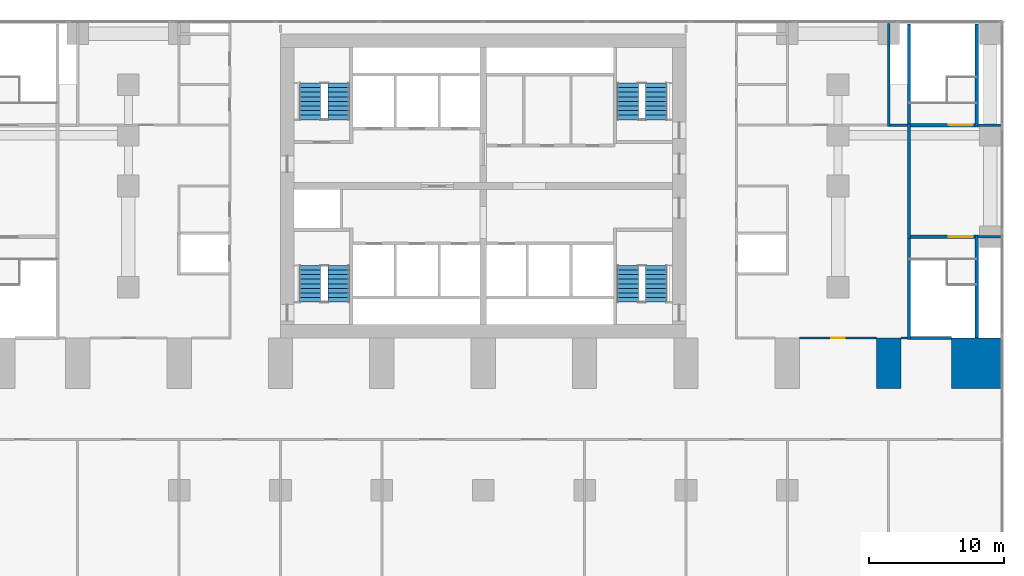
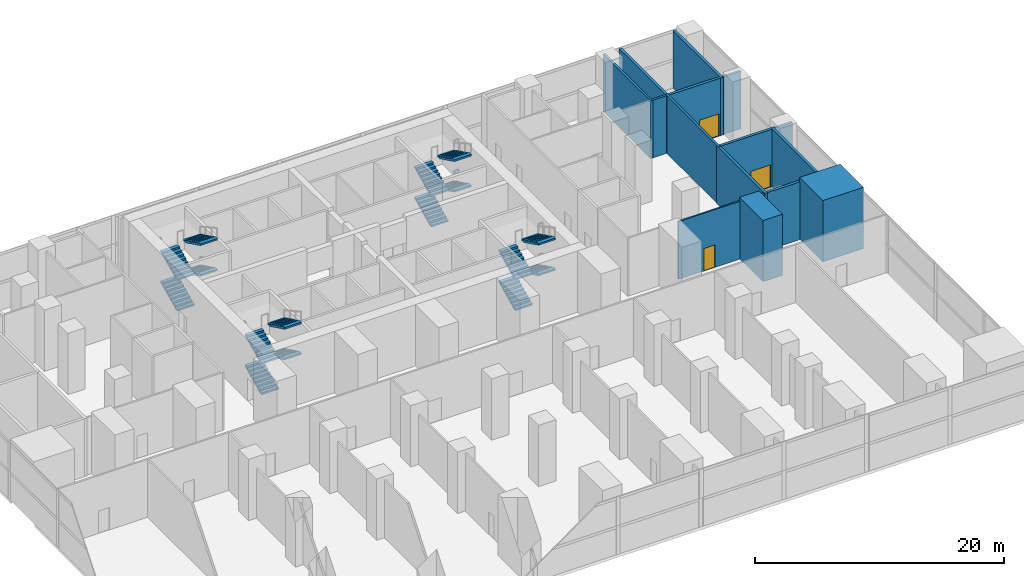
# One storey, part 12 of 14: 16 stair flights, 16 walls, 3 doors, 3 openings, 4 elements without a shape of their own.
"""IFC4 building model written with IfcOpenShell, lengths in metres."""

import ifcopenshell
import ifcopenshell.guid

model = None  # the IFC model being written
_history = None  # IfcOwnerHistory: only IFC2X3 demands one
_inside = {}  # id of a spatial element -> (the spatial element, [elements in it])
_under = {}  # id of a project, library or spatial element -> (it, [spatial elements below it])
_declared = {}  # id of a project -> (the project, [libraries it declares])
_typed = {}  # id of a type object -> (the type object, [elements of that type])
_made_of = {}  # id of a material, layer set ... -> (it, [elements and type objects made of it])


def new_model(schema):
    """Start an empty IFC model of exactly this schema.

    Asked for "IFC4X3", IfcOpenShell would pick the latest addendum, in which some entities
    have other attributes; the version numbers below select the first issue.
    IFC2X3 requires an IfcOwnerHistory on every rooted entity: one is made here for all.
    """
    global model, _history
    if schema == "IFC4X3":
        model = ifcopenshell.file(schema_version=(4, 3, 0, 0))
    else:
        model = ifcopenshell.file(schema=schema)
    _inside.clear()
    _under.clear()
    _declared.clear()
    _typed.clear()
    _made_of.clear()
    _history = None
    if model.schema == "IFC2X3":
        org = make("IfcOrganization", Name="unknown")
        user = make(
            "IfcPersonAndOrganization",
            ThePerson=make("IfcPerson", FamilyName="unknown"),
            TheOrganization=org,
        )
        app = make(
            "IfcApplication",
            ApplicationDeveloper=org,
            Version="unknown",
            ApplicationFullName="unknown",
            ApplicationIdentifier="unknown",
        )
        _history = make(
            "IfcOwnerHistory",
            OwningUser=user,
            OwningApplication=app,
            ChangeAction="ADDED",
            CreationDate=0,
        )
    return model


def make(cls, **values):
    """One entity of the class cls with the attributes given. An attribute that is None is left unset."""
    return model.create_entity(
        cls, **{name: value for name, value in values.items() if value is not None}
    )


def rooted(cls, **values):
    """An entity with a GlobalId (a new one), such as an element, a storey or a relation."""
    return make(cls, GlobalId=ifcopenshell.guid.new(), OwnerHistory=_history, **values)


def si_unit(unit_type, name, prefix=None):
    """IfcSIUnit, for example si_unit("LENGTHUNIT", "METRE", prefix="MILLI")."""
    return make("IfcSIUnit", UnitType=unit_type, Prefix=prefix, Name=name)


def assignment(units):
    """IfcUnitAssignment: the units of a project."""
    return None if units is None else make("IfcUnitAssignment", Units=units)


def point(xyz):
    """IfcCartesianPoint."""
    return None if xyz is None else make("IfcCartesianPoint", Coordinates=xyz)


def direction(xyz):
    """IfcDirection."""
    return None if xyz is None else make("IfcDirection", DirectionRatios=xyz)


def frame(location, z_axis=None, x_axis=None):
    """IfcAxis2Placement3D, a coordinate frame: its origin and axes. An axis left out is left unset."""
    return make(
        "IfcAxis2Placement3D",
        Location=point(location),
        Axis=direction(z_axis),
        RefDirection=direction(x_axis),
    )


def frame_2d(location, x_axis=None):
    """IfcAxis2Placement2D, a coordinate frame in the plane: its origin and x axis."""
    return make(
        "IfcAxis2Placement2D", Location=point(location), RefDirection=direction(x_axis)
    )


def origin():
    """The frame at (0, 0, 0) with its axes left unset."""
    return frame((0.0, 0.0, 0.0))


def place(relative_to, where):
    """IfcLocalPlacement: puts the frame where relative to a parent placement (None: the world)."""
    return make(
        "IfcLocalPlacement", PlacementRelTo=relative_to, RelativePlacement=where
    )


def context(
    kind, dimensions, precision=None, world=None, true_north=None, identifier=None
):
    """IfcGeometricRepresentationContext, for example the 3D "Model" context."""
    return make(
        "IfcGeometricRepresentationContext",
        ContextIdentifier=identifier,
        ContextType=kind,
        CoordinateSpaceDimension=dimensions,
        Precision=precision,
        WorldCoordinateSystem=world,
        TrueNorth=true_north,
    )


def subcontext(parent, identifier, kind, view, scale=None):
    """IfcGeometricRepresentationSubContext, for example "Body" below "Model"."""
    return make(
        "IfcGeometricRepresentationSubContext",
        ContextIdentifier=identifier,
        ContextType=kind,
        ParentContext=parent,
        TargetScale=scale,
        TargetView=view,
    )


def project(units=None, contexts=None):
    """IfcProject with its units and contexts."""
    return rooted(
        "IfcProject",
        Name="project",
        RepresentationContexts=contexts,
        UnitsInContext=assignment(units),
    )


def spatial(cls, under=None, at=None, **own):
    """A site, building, storey or space (cls), placed at a placement, below another one or the project."""
    s = rooted(cls, ObjectPlacement=at, **own)
    if under is not None:
        _under.setdefault(under.id(), (under, []))[1].append(s)
    return s


def polyline(points):
    """IfcPolyline through the points."""
    return make("IfcPolyline", Points=[point(p) for p in points])


def profile(cls, at=None, kind="AREA", **sizes):
    """A parametric profile (cls). Its sizes go by their IFC names, for example OverallWidth=200.0."""
    return make(cls, ProfileType=kind, Position=at, **sizes)


def rectangle(**sizes):
    """IfcRectangleProfileDef."""
    return profile("IfcRectangleProfileDef", **sizes)


def outline(outer, holes=None, kind="AREA"):
    """IfcArbitraryClosedProfileDef: a profile drawn as a closed curve; with holes, ...WithVoids."""
    if holes is None:
        return make("IfcArbitraryClosedProfileDef", ProfileType=kind, OuterCurve=outer)
    return make(
        "IfcArbitraryProfileDefWithVoids",
        ProfileType=kind,
        OuterCurve=outer,
        InnerCurves=holes,
    )


def extrude(swept, where, along, depth):
    """IfcExtrudedAreaSolid: the profile swept, set in the frame where, extruded along a direction by depth."""
    return make(
        "IfcExtrudedAreaSolid",
        SweptArea=swept,
        Position=where,
        ExtrudedDirection=direction(along),
        Depth=depth,
    )


def shape(context_of_items, identifier, shape_type, items):
    """IfcShapeRepresentation: the items that make up one representation, for example the "Body"."""
    return make(
        "IfcShapeRepresentation",
        ContextOfItems=context_of_items,
        RepresentationIdentifier=identifier,
        RepresentationType=shape_type,
        Items=items,
    )


def material(Name=None, Category=None):
    """IfcMaterial."""
    return make("IfcMaterial", Name=Name, Category=Category)


def layer(
    of_material, thickness, ventilated=None, Name=None, Category=None, Priority=None
):
    """IfcMaterialLayer: one layer of a wall or slab, of a material (None: an air gap)."""
    return make(
        "IfcMaterialLayer",
        Material=of_material,
        LayerThickness=thickness,
        IsVentilated=ventilated,
        Name=Name,
        Category=Category,
        Priority=Priority,
    )


def layer_set(layers, Name=None):
    """IfcMaterialLayerSet."""
    return make("IfcMaterialLayerSet", MaterialLayers=layers, LayerSetName=Name)


def made_of(thing, what):
    """Note that an element or type object is made of a material, layer set ...; save() writes the relation."""
    if what is not None:
        _made_of.setdefault(what.id(), (what, []))[1].append(thing)
    return thing


def type_object(cls, material=None, **own):
    """A type object (cls), such as IfcWallType, which elements share."""
    return made_of(rooted(cls, **own), material)


def element(
    cls,
    number,
    at=None,
    inside=None,
    cuts=None,
    type_object=None,
    material=None,
    context=None,
    identifier="Body",
    shape_type=None,
    held_by="IfcProductDefinitionShape",
    body=None,
    shapes=None,
    **own,
):
    """One element of the class cls, such as IfcWall. Its Tag is "e" and its number.

    at: its placement. inside: the storey or other place that contains it. cuts: it is an
    opening in that element (IfcRelVoidsElement). A single representation is given by context,
    identifier, shape_type and body (its items); several are given by shapes. held_by: the class
    of the entity that holds the representations. save() writes the other relations.
    """
    e = rooted(cls, Tag="e%d" % number, ObjectPlacement=at, **own)
    if body is not None:
        shapes = [shape(context, identifier, shape_type, body)]
    if shapes is not None:
        e.Representation = make(held_by, Representations=shapes)
    if inside is not None:
        _inside.setdefault(inside.id(), (inside, []))[1].append(e)
    if cuts is not None:
        rooted(
            "IfcRelVoidsElement", RelatingBuildingElement=cuts, RelatedOpeningElement=e
        )
    if type_object is not None:
        _typed.setdefault(type_object.id(), (type_object, []))[1].append(e)
    return made_of(e, material)


def fill(opening, filler):
    """IfcRelFillsElement: the door or window that sits in an opening."""
    return rooted(
        "IfcRelFillsElement",
        RelatingOpeningElement=opening,
        RelatedBuildingElement=filler,
    )


def aggregate(whole, parts):
    """IfcRelAggregates: a whole, such as a stair, and the parts it consists of."""
    return rooted("IfcRelAggregates", RelatingObject=whole, RelatedObjects=parts)


def save(model, path):
    """Write the relations noted so far, then the file.

    IfcRelAggregates (storeys below a building ...), IfcRelContainedInSpatialStructure (elements
    in a storey), IfcRelDefinesByType, IfcRelAssociatesMaterial and IfcRelDeclares: one each for
    every whole, place, type object, material and project.
    """
    for whole, parts in _under.values():
        aggregate(whole, parts)
    for where, things in _inside.values():
        rooted(
            "IfcRelContainedInSpatialStructure",
            RelatedElements=things,
            RelatingStructure=where,
        )
    for kind, things in _typed.values():
        rooted("IfcRelDefinesByType", RelatedObjects=things, RelatingType=kind)
    for what, things in _made_of.values():
        rooted("IfcRelAssociatesMaterial", RelatedObjects=things, RelatingMaterial=what)
    for by, libraries in _declared.values():
        rooted("IfcRelDeclares", RelatingContext=by, RelatedDefinitions=libraries)
    model.write(path)


model = new_model("IFC4")

# Units and contexts
model_context = context("Model", 3, precision=1e-05, world=origin(), true_north=direction((0.0, 1.0)))
body_context = subcontext(model_context, "Body", "Model", "MODEL_VIEW")
ifc_project = project(units=[si_unit("LENGTHUNIT", "METRE"), si_unit("AREAUNIT", "SQUARE_METRE"), si_unit("VOLUMEUNIT", "CUBIC_METRE"), si_unit("PLANEANGLEUNIT", "RADIAN"), si_unit("MASSUNIT", "GRAM", prefix="KILO")], contexts=[model_context])

# Site, building, storey
site_placement = place(None, origin())
site = spatial("IfcSite", under=ifc_project, at=site_placement, CompositionType="ELEMENT")
building_placement = place(site_placement, origin())
building = spatial("IfcBuilding", under=site, at=building_placement, Name="Pilkhan Gate Tower", CompositionType="ELEMENT")
storey_placement = place(building_placement, frame((0.0, 0.0, 24.0)))
storey = spatial("IfcBuildingStorey", under=building, at=storey_placement, Name="L03", CompositionType="ELEMENT", Elevation=24.0)

# Walls
ifc_material_1 = material(Name="Concrete C70/85", Category="concrete")
ifc_layer_1 = layer(ifc_material_1, 1.800048828125)
ifc_layer_set_1 = layer_set([ifc_layer_1], Name="Arch pier AP1800 C70/85")
wall_type_1 = type_object("IfcWallType", Name="Arch pier AP1800 C70/85", PredefinedType="SHEAR", material=ifc_layer_set_1)
wall_1_placement = place(storey_placement, frame((105.0, 67.5, 0.0), z_axis=(0.0, 0.0, 1.0), x_axis=(0.0, 1.0, 0.0)))
element("IfcWall", 1, at=wall_1_placement, inside=storey, type_object=wall_type_1, Name="Arch pier N+4 L03", PredefinedType="SHEAR", context=body_context, shape_type="SweptSolid", body=[
    extrude(rectangle(XDim=3.75, YDim=1.800048828125, at=frame_2d((1.875, 0.0))), origin(), (0.0, 0.0, 1.0), 6.0),
])
ifc_layer_2 = layer(ifc_material_1, 3.75)
ifc_layer_set_2 = layer_set([ifc_layer_2], Name="Arch pier AP3750 C70/85")
wall_type_2 = type_object("IfcWallType", Name="Arch pier AP3750 C70/85", PredefinedType="SHEAR", material=ifc_layer_set_2)
wall_2_placement = place(storey_placement, frame((111.52490234375, 67.5, 0.0), z_axis=(0.0, 0.0, 1.0), x_axis=(0.0, 1.0, 0.0)))
element("IfcWall", 2, at=wall_2_placement, inside=storey, type_object=wall_type_2, Name="Arch pier N+5 L03", PredefinedType="SHEAR", context=body_context, shape_type="SweptSolid", body=[
    extrude(rectangle(XDim=3.75, YDim=3.75, at=frame_2d((1.875, 0.0))), origin(), (0.0, 0.0, 1.0), 6.0),
])
ifc_material_2 = material(Name="Dense blockwork", Category="masonry")
ifc_layer_3 = layer(ifc_material_2, 0.199951171875)
ifc_layer_set_3 = layer_set([ifc_layer_3], Name="Lobby wall LW200")
wall_type_3 = type_object("IfcWallType", Name="Lobby wall LW200", PredefinedType="PARTITIONING", material=ifc_layer_set_3)
wall_3_placement = place(storey_placement, frame((111.625, 78.75, 0.0), z_axis=(0.0, 0.0, 1.0), x_axis=(1.0, 0.0, 0.0)))
element("IfcWall", 3, at=wall_3_placement, inside=storey, type_object=wall_type_3, Name="Partition L03", PredefinedType="PARTITIONING", context=body_context, shape_type="SweptSolid", body=[
    extrude(rectangle(XDim=1.639892578125, YDim=0.199951171875, at=frame_2d((0.81982421875, 0.0))), origin(), (0.0, 0.0, 1.0), 5.64990234375),
])
wall_4_placement = place(storey_placement, frame((105.10009765625, 87.0, 0.0), z_axis=(0.0, 0.0, 1.0), x_axis=(1.0, 0.0, 0.0)))
element("IfcWall", 4, at=wall_4_placement, inside=storey, type_object=wall_type_3, Name="Partition L03", PredefinedType="PARTITIONING", context=body_context, shape_type="SweptSolid", body=[
    extrude(rectangle(XDim=1.27490234375, YDim=0.199951171875, at=frame_2d((0.637451171875, 0.0))), origin(), (0.0, 0.0, 1.0), 5.64990234375),
])
wall_5_placement = place(storey_placement, frame((111.625, 87.0, 0.0), z_axis=(0.0, 0.0, 1.0), x_axis=(1.0, 0.0, 0.0)))
element("IfcWall", 5, at=wall_5_placement, inside=storey, type_object=wall_type_3, Name="Partition L03", PredefinedType="PARTITIONING", context=body_context, shape_type="SweptSolid", body=[
    extrude(rectangle(XDim=1.639892578125, YDim=0.199951171875, at=frame_2d((0.81982421875, 0.0))), origin(), (0.0, 0.0, 1.0), 5.64990234375),
])
wall_6_placement = place(storey_placement, frame((105.0, 86.89990234375, 0.0), z_axis=(0.0, 0.0, 1.0), x_axis=(0.0, 1.0, 0.0)))
element("IfcWall", 6, at=wall_6_placement, inside=storey, type_object=wall_type_3, Name="Partition L03", PredefinedType="PARTITIONING", context=body_context, shape_type="SweptSolid", body=[
    extrude(rectangle(XDim=7.614990234375, YDim=0.199951171875, at=frame_2d((3.8076171875, 0.0))), origin(), (0.0, 0.0, 1.0), 5.64990234375),
])
wall_7_placement = place(storey_placement, frame((106.5, 78.625, 0.0), z_axis=(0.0, 0.0, 1.0), x_axis=(0.0, 1.0, 0.0)))
element("IfcWall", 7, at=wall_7_placement, inside=storey, type_object=wall_type_3, Name="Partition L03", PredefinedType="PARTITIONING", context=body_context, shape_type="SweptSolid", body=[
    extrude(rectangle(XDim=8.5, YDim=0.199951171875, at=frame_2d((4.25, 0.0))), origin(), (0.0, 0.0, 1.0), 5.64990234375),
])

# Wall, opening, door
ifc_material_3 = material(Name="Blockwork partition, plastered both sides", Category="masonry")
ifc_layer_4 = layer(ifc_material_3, 0.14990234375)
ifc_layer_set_4 = layer_set([ifc_layer_4], Name="Partition PW150")
wall_type_4 = type_object("IfcWallType", Name="Partition PW150", PredefinedType="PARTITIONING", material=ifc_layer_set_4)
wall_8_placement = place(storey_placement, frame((98.409912109375, 71.25, 0.0), z_axis=(0.0, 0.0, 1.0), x_axis=(1.0, 0.0, 0.0)))
wall_8 = element("IfcWall", 8, at=wall_8_placement, inside=storey, type_object=wall_type_4, Name="Partition L03", PredefinedType="PARTITIONING", context=body_context, shape_type="SweptSolid", body=[
    extrude(rectangle(XDim=5.68017578125, YDim=0.14990234375, at=frame_2d((2.840087890625, 0.0))), origin(), (0.0, 0.0, 1.0), 5.64990234375),
])
opening_1_placement = place(wall_8_placement, frame((2.35009765625, 0.0, 0.0)))
opening_1 = element("IfcOpeningElement", 9, at=opening_1_placement, cuts=wall_8, Name="Opening L03-33", PredefinedType="OPENING", context=body_context, shape_type="SweptSolid", body=[
    extrude(rectangle(XDim=1.0, YDim=2.199951171875, at=frame_2d((0.5, 1.10009765625))), frame((0.0, 0.0849609375, 0.0), z_axis=(0.0, -1.0, 0.0), x_axis=(1.0, 0.0, 0.0)), (0.0, 0.0, 1.0), 0.169921875),
])
ifc_material_4 = material(Name="Timber flush door, 30 minute fire resisting", Category="wood")
door_type_1 = type_object("IfcDoorType", Name="Room door D03 1000x2200", OperationType="SINGLE_SWING_LEFT", PredefinedType="DOOR", material=ifc_material_4)
door_1_placement = place(opening_1_placement, origin())
door_1 = element("IfcDoor", 10, at=door_1_placement, inside=storey, type_object=door_type_1, Name="Room door", OperationType="SINGLE_SWING_LEFT", OverallHeight=2.199951171875, OverallWidth=1.0, PredefinedType="DOOR", context=body_context, shape_type="SweptSolid", body=[
    extrude(rectangle(XDim=1.0, YDim=2.199951171875, at=frame_2d((0.5, 1.10009765625))), frame((0.0, 0.02490234375, 0.0), z_axis=(0.0, -1.0, 0.0), x_axis=(1.0, 0.0, 0.0)), (0.0, 0.0, 1.0), 0.050048828125),
])
fill(opening_1, door_1)

# Walls
wall_9_placement = place(storey_placement, frame((105.909912109375, 71.25, 0.0), z_axis=(0.0, 0.0, 1.0), x_axis=(1.0, 0.0, 0.0)))
element("IfcWall", 11, at=wall_9_placement, inside=storey, type_object=wall_type_4, Name="Partition L03", PredefinedType="PARTITIONING", context=body_context, shape_type="SweptSolid", body=[
    extrude(rectangle(XDim=0.465087890625, YDim=0.14990234375, at=frame_2d((0.232421875, 0.0))), origin(), (0.0, 0.0, 1.0), 5.64990234375),
])
ifc_material_5 = material(Name="Reinforced blockwork, 120 minute fire resisting", Category="masonry")
ifc_layer_5 = layer(ifc_material_5, 0.25)
ifc_layer_set_5 = layer_set([ifc_layer_5], Name="Stair enclosure wall SE250")
wall_type_5 = type_object("IfcWallType", Name="Stair enclosure wall SE250", PredefinedType="PARTITIONING", material=ifc_layer_set_5)
wall_10_placement = place(storey_placement, frame((106.625, 71.25, 0.0), z_axis=(0.0, 0.0, 1.0), x_axis=(1.0, 0.0, 0.0)))
element("IfcWall", 12, at=wall_10_placement, inside=storey, type_object=wall_type_5, Name="Partition L03", PredefinedType="PARTITIONING", context=body_context, shape_type="SweptSolid", body=[
    extrude(rectangle(XDim=3.014892578125, YDim=0.25, at=frame_2d((1.50732421875, 0.0))), origin(), (0.0, 0.0, 1.0), 5.64990234375),
])

# Wall, opening, door
wall_11_placement = place(storey_placement, frame((106.625, 78.75, 0.0), z_axis=(0.0, 0.0, 1.0), x_axis=(1.0, 0.0, 0.0)))
wall_11 = element("IfcWall", 13, at=wall_11_placement, inside=storey, type_object=wall_type_5, Name="Partition L03", PredefinedType="PARTITIONING", context=body_context, shape_type="SweptSolid", body=[
    extrude(rectangle(XDim=4.75, YDim=0.25, at=frame_2d((2.375, 0.0))), origin(), (0.0, 0.0, 1.0), 5.64990234375),
])
opening_2_placement = place(wall_11_placement, frame((2.800048828125, 0.0, 0.0)))
opening_2 = element("IfcOpeningElement", 14, at=opening_2_placement, cuts=wall_11, Name="Opening L03-09", PredefinedType="OPENING", context=body_context, shape_type="SweptSolid", body=[
    extrude(rectangle(XDim=1.800048828125, YDim=2.199951171875, at=frame_2d((0.89990234375, 1.10009765625))), frame((0.0, 0.135009765625, 0.0), z_axis=(0.0, -1.0, 0.0), x_axis=(1.0, 0.0, 0.0)), (0.0, 0.0, 1.0), 0.27001953125),
])
ifc_material_6 = material(Name="Steel double door, 120 minute fire resisting, panic bar", Category="steel")
door_type_2 = type_object("IfcDoorType", Name="Stair door D14 1800x2200", OperationType="DOUBLE_DOOR_SINGLE_SWING", PredefinedType="DOOR", material=ifc_material_6)
door_2_placement = place(opening_2_placement, origin())
door_2 = element("IfcDoor", 15, at=door_2_placement, inside=storey, type_object=door_type_2, Name="Stair PS4 door", OperationType="DOUBLE_DOOR_SINGLE_SWING", OverallHeight=2.199951171875, OverallWidth=1.800048828125, PredefinedType="DOOR", context=body_context, shape_type="SweptSolid", body=[
    extrude(rectangle(XDim=1.800048828125, YDim=2.199951171875, at=frame_2d((0.89990234375, 1.10009765625))), frame((0.0, 0.02490234375, 0.0), z_axis=(0.0, -1.0, 0.0), x_axis=(1.0, 0.0, 0.0)), (0.0, 0.0, 1.0), 0.050048828125),
])
fill(opening_2, door_2)

wall_12_placement = place(storey_placement, frame((106.625, 87.0, 0.0), z_axis=(0.0, 0.0, 1.0), x_axis=(1.0, 0.0, 0.0)))
wall_12 = element("IfcWall", 16, at=wall_12_placement, inside=storey, type_object=wall_type_5, Name="Partition L03", PredefinedType="PARTITIONING", context=body_context, shape_type="SweptSolid", body=[
    extrude(rectangle(XDim=4.75, YDim=0.25, at=frame_2d((2.375, 0.0))), origin(), (0.0, 0.0, 1.0), 5.64990234375),
])
opening_3_placement = place(wall_12_placement, frame((2.800048828125, 0.0, 0.0)))
opening_3 = element("IfcOpeningElement", 17, at=opening_3_placement, cuts=wall_12, Name="Opening L03-07", PredefinedType="OPENING", context=body_context, shape_type="SweptSolid", body=[
    extrude(rectangle(XDim=1.800048828125, YDim=2.199951171875, at=frame_2d((0.89990234375, 1.10009765625))), frame((0.0, 0.135009765625, 0.0), z_axis=(0.0, -1.0, 0.0), x_axis=(1.0, 0.0, 0.0)), (0.0, 0.0, 1.0), 0.27001953125),
])
door_3_placement = place(opening_3_placement, origin())
door_3 = element("IfcDoor", 18, at=door_3_placement, inside=storey, type_object=door_type_2, Name="Stair PS2 door", OperationType="DOUBLE_DOOR_SINGLE_SWING", OverallHeight=2.199951171875, OverallWidth=1.800048828125, PredefinedType="DOOR", context=body_context, shape_type="SweptSolid", body=[
    extrude(rectangle(XDim=1.800048828125, YDim=2.199951171875, at=frame_2d((0.89990234375, 1.10009765625))), frame((0.0, 0.02490234375, 0.0), z_axis=(0.0, -1.0, 0.0), x_axis=(1.0, 0.0, 0.0)), (0.0, 0.0, 1.0), 0.050048828125),
])
fill(opening_3, door_3)

# Walls
wall_13_placement = place(storey_placement, frame((106.5, 71.125, 0.0), z_axis=(0.0, 0.0, 1.0), x_axis=(0.0, 1.0, 0.0)))
element("IfcWall", 19, at=wall_13_placement, inside=storey, type_object=wall_type_5, Name="Partition L03", PredefinedType="PARTITIONING", context=body_context, shape_type="SweptSolid", body=[
    extrude(rectangle(XDim=7.75, YDim=0.25, at=frame_2d((3.875, 0.0))), origin(), (0.0, 0.0, 1.0), 5.64990234375),
])
wall_14_placement = place(storey_placement, frame((106.5, 86.875, 0.0), z_axis=(0.0, 0.0, 1.0), x_axis=(0.0, 1.0, 0.0)))
element("IfcWall", 20, at=wall_14_placement, inside=storey, type_object=wall_type_5, Name="Partition L03", PredefinedType="PARTITIONING", context=body_context, shape_type="SweptSolid", body=[
    extrude(rectangle(XDim=7.625, YDim=0.25, at=frame_2d((3.8125, 0.0))), origin(), (0.0, 0.0, 1.0), 5.64990234375),
])
wall_15_placement = place(storey_placement, frame((111.5, 71.260009765625, 0.0), z_axis=(0.0, 0.0, 1.0), x_axis=(0.0, 1.0, 0.0)))
element("IfcWall", 21, at=wall_15_placement, inside=storey, type_object=wall_type_5, Name="Partition L03", PredefinedType="PARTITIONING", context=body_context, shape_type="SweptSolid", body=[
    extrude(rectangle(XDim=7.614990234375, YDim=0.25, at=frame_2d((3.8076171875, 0.0))), origin(), (0.0, 0.0, 1.0), 5.64990234375),
])
wall_16_placement = place(storey_placement, frame((111.5, 86.875, 0.0), z_axis=(0.0, 0.0, 1.0), x_axis=(0.0, 1.0, 0.0)))
element("IfcWall", 22, at=wall_16_placement, inside=storey, type_object=wall_type_5, Name="Partition L03", PredefinedType="PARTITIONING", context=body_context, shape_type="SweptSolid", body=[
    extrude(rectangle(XDim=7.625, YDim=0.25, at=frame_2d((3.8125, 0.0))), origin(), (0.0, 0.0, 1.0), 5.64990234375),
])

# Stair, stair flights
ifc_material_7 = material(Name="Concrete C40/50 precast", Category="concrete")
stair_type_1 = type_object("IfcStairType", Name="Stair ST1 167x340", PredefinedType="HALF_TURN_STAIR", material=ifc_material_7)
stair_1_placement = place(storey_placement, origin())
stair_1 = element("IfcStair", 23, at=stair_1_placement, inside=storey, type_object=stair_type_1, Name="Stair ST1 L03", PredefinedType="HALF_TURN_STAIR")
stair_flight_type_1 = type_object("IfcStairFlightType", Name="Stair flight ST1 167x340x9", PredefinedType="STRAIGHT", material=ifc_material_7)
stair_flight_1_placement = place(storey_placement, frame((85.68994140625, 73.89990234375, 0.0), z_axis=(0.0, 0.0, 1.0), x_axis=(0.0, 1.0, 0.0)))
stair_flight_1 = element("IfcStairFlight", 24, at=stair_flight_1_placement, type_object=stair_flight_type_1, Name="ST1 flight 1", NumberOfRisers=9, NumberOfTreads=8, PredefinedType="STRAIGHT", RiserHeight=0.166666667, TreadLength=0.34, context=body_context, shape_type="SweptSolid", body=[
    extrude(outline(polyline([(0.0, 0.0), (0.0, 0.166748046875), (0.340087890625, 0.166748046875), (0.340087890625, 0.333251953125), (0.679931640625, 0.333251953125), (0.679931640625, 0.5), (1.02001953125, 0.5), (1.02001953125, 0.666748046875), (1.360107421875, 0.666748046875), (1.360107421875, 0.833251953125), (1.699951171875, 0.833251953125), (1.699951171875, 1.0), (2.0400390625, 1.0), (2.0400390625, 1.166748046875), (2.3798828125, 1.166748046875), (2.3798828125, 1.333251953125), (2.719970703125, 1.333251953125), (2.719970703125, 1.5), (2.719970703125, 1.16650390625), (0.340576171875, 0.0), (0.0, 0.0)])), frame((0.0, 0.7900390625, 0.0), z_axis=(0.0, -1.0, 0.0), x_axis=(1.0, 0.0, 0.0)), (0.0, 0.0, 1.0), 1.580078125),
])
stair_flight_2_placement = place(storey_placement, frame((87.81005859375, 76.6201171875, 1.5), z_axis=(0.0, 0.0, 1.0), x_axis=(0.0, -1.0, 0.0)))
stair_flight_2 = element("IfcStairFlight", 25, at=stair_flight_2_placement, type_object=stair_flight_type_1, Name="ST1 flight 2", NumberOfRisers=9, NumberOfTreads=8, PredefinedType="STRAIGHT", RiserHeight=0.166666667, TreadLength=0.34, context=body_context, shape_type="SweptSolid", body=[
    extrude(outline(polyline([(0.0, 0.0), (0.0, 0.166748046875), (0.340087890625, 0.166748046875), (0.340087890625, 0.333251953125), (0.679931640625, 0.333251953125), (0.679931640625, 0.5), (1.02001953125, 0.5), (1.02001953125, 0.666748046875), (1.360107421875, 0.666748046875), (1.360107421875, 0.833251953125), (1.699951171875, 0.833251953125), (1.699951171875, 1.0), (2.0400390625, 1.0), (2.0400390625, 1.166748046875), (2.3798828125, 1.166748046875), (2.3798828125, 1.333251953125), (2.719970703125, 1.333251953125), (2.719970703125, 1.5), (2.719970703125, 1.16650390625), (0.340576171875, 0.0), (0.0, 0.0)])), frame((0.0, 0.7900390625, 0.0), z_axis=(0.0, -1.0, 0.0), x_axis=(1.0, 0.0, 0.0)), (0.0, 0.0, 1.0), 1.580078125),
])
stair_flight_3_placement = place(storey_placement, frame((85.68994140625, 73.89990234375, 3.0), z_axis=(0.0, 0.0, 1.0), x_axis=(0.0, 1.0, 0.0)))
stair_flight_3 = element("IfcStairFlight", 26, at=stair_flight_3_placement, type_object=stair_flight_type_1, Name="ST1 flight 3", NumberOfRisers=9, NumberOfTreads=8, PredefinedType="STRAIGHT", RiserHeight=0.166666667, TreadLength=0.34, context=body_context, shape_type="SweptSolid", body=[
    extrude(outline(polyline([(0.0, 0.0), (0.0, 0.166748046875), (0.340087890625, 0.166748046875), (0.340087890625, 0.333251953125), (0.679931640625, 0.333251953125), (0.679931640625, 0.5), (1.02001953125, 0.5), (1.02001953125, 0.666748046875), (1.360107421875, 0.666748046875), (1.360107421875, 0.833251953125), (1.699951171875, 0.833251953125), (1.699951171875, 1.0), (2.0400390625, 1.0), (2.0400390625, 1.166748046875), (2.3798828125, 1.166748046875), (2.3798828125, 1.333251953125), (2.719970703125, 1.333251953125), (2.719970703125, 1.5), (2.719970703125, 1.16650390625), (0.340576171875, 0.0), (0.0, 0.0)])), frame((0.0, 0.7900390625, 0.0), z_axis=(0.0, -1.0, 0.0), x_axis=(1.0, 0.0, 0.0)), (0.0, 0.0, 1.0), 1.580078125),
])
stair_flight_4_placement = place(storey_placement, frame((87.81005859375, 76.6201171875, 4.5), z_axis=(0.0, 0.0, 1.0), x_axis=(0.0, -1.0, 0.0)))
stair_flight_4 = element("IfcStairFlight", 27, at=stair_flight_4_placement, type_object=stair_flight_type_1, Name="ST1 flight 4", NumberOfRisers=9, NumberOfTreads=8, PredefinedType="STRAIGHT", RiserHeight=0.166666667, TreadLength=0.34, context=body_context, shape_type="SweptSolid", body=[
    extrude(outline(polyline([(0.0, 0.0), (0.0, 0.166748046875), (0.340087890625, 0.166748046875), (0.340087890625, 0.333251953125), (0.679931640625, 0.333251953125), (0.679931640625, 0.5), (1.02001953125, 0.5), (1.02001953125, 0.666748046875), (1.360107421875, 0.666748046875), (1.360107421875, 0.833251953125), (1.699951171875, 0.833251953125), (1.699951171875, 1.0), (2.0400390625, 1.0), (2.0400390625, 1.166748046875), (2.3798828125, 1.166748046875), (2.3798828125, 1.333251953125), (2.719970703125, 1.333251953125), (2.719970703125, 1.5), (2.719970703125, 1.16650390625), (0.340576171875, 0.0), (0.0, 0.0)])), frame((0.0, 0.7900390625, 0.0), z_axis=(0.0, -1.0, 0.0), x_axis=(1.0, 0.0, 0.0)), (0.0, 0.0, 1.0), 1.580078125),
])
aggregate(stair_1, [stair_flight_1, stair_flight_2, stair_flight_3, stair_flight_4])

stair_type_2 = type_object("IfcStairType", Name="Stair ST2 167x340", PredefinedType="HALF_TURN_STAIR", material=ifc_material_7)
stair_2_placement = place(storey_placement, origin())
stair_2 = element("IfcStair", 28, at=stair_2_placement, inside=storey, type_object=stair_type_2, Name="Stair ST2 L03", PredefinedType="HALF_TURN_STAIR")
stair_flight_type_2 = type_object("IfcStairFlightType", Name="Stair flight ST2 167x340x9", PredefinedType="STRAIGHT", material=ifc_material_7)
stair_flight_5_placement = place(storey_placement, frame((62.18994140625, 73.89990234375, 0.0), z_axis=(0.0, 0.0, 1.0), x_axis=(0.0, 1.0, 0.0)))
stair_flight_5 = element("IfcStairFlight", 29, at=stair_flight_5_placement, type_object=stair_flight_type_2, Name="ST2 flight 1", NumberOfRisers=9, NumberOfTreads=8, PredefinedType="STRAIGHT", RiserHeight=0.166666667, TreadLength=0.34, context=body_context, shape_type="SweptSolid", body=[
    extrude(outline(polyline([(0.0, 0.0), (0.0, 0.166748046875), (0.340087890625, 0.166748046875), (0.340087890625, 0.333251953125), (0.679931640625, 0.333251953125), (0.679931640625, 0.5), (1.02001953125, 0.5), (1.02001953125, 0.666748046875), (1.360107421875, 0.666748046875), (1.360107421875, 0.833251953125), (1.699951171875, 0.833251953125), (1.699951171875, 1.0), (2.0400390625, 1.0), (2.0400390625, 1.166748046875), (2.3798828125, 1.166748046875), (2.3798828125, 1.333251953125), (2.719970703125, 1.333251953125), (2.719970703125, 1.5), (2.719970703125, 1.16650390625), (0.340576171875, 0.0), (0.0, 0.0)])), frame((0.0, 0.7900390625, 0.0), z_axis=(0.0, -1.0, 0.0), x_axis=(1.0, 0.0, 0.0)), (0.0, 0.0, 1.0), 1.580078125),
])
stair_flight_6_placement = place(storey_placement, frame((64.31005859375, 76.6201171875, 1.5), z_axis=(0.0, 0.0, 1.0), x_axis=(0.0, -1.0, 0.0)))
stair_flight_6 = element("IfcStairFlight", 30, at=stair_flight_6_placement, type_object=stair_flight_type_2, Name="ST2 flight 2", NumberOfRisers=9, NumberOfTreads=8, PredefinedType="STRAIGHT", RiserHeight=0.166666667, TreadLength=0.34, context=body_context, shape_type="SweptSolid", body=[
    extrude(outline(polyline([(0.0, 0.0), (0.0, 0.166748046875), (0.340087890625, 0.166748046875), (0.340087890625, 0.333251953125), (0.679931640625, 0.333251953125), (0.679931640625, 0.5), (1.02001953125, 0.5), (1.02001953125, 0.666748046875), (1.360107421875, 0.666748046875), (1.360107421875, 0.833251953125), (1.699951171875, 0.833251953125), (1.699951171875, 1.0), (2.0400390625, 1.0), (2.0400390625, 1.166748046875), (2.3798828125, 1.166748046875), (2.3798828125, 1.333251953125), (2.719970703125, 1.333251953125), (2.719970703125, 1.5), (2.719970703125, 1.16650390625), (0.340576171875, 0.0), (0.0, 0.0)])), frame((0.0, 0.7900390625, 0.0), z_axis=(0.0, -1.0, 0.0), x_axis=(1.0, 0.0, 0.0)), (0.0, 0.0, 1.0), 1.580078125),
])
stair_flight_7_placement = place(storey_placement, frame((62.18994140625, 73.89990234375, 3.0), z_axis=(0.0, 0.0, 1.0), x_axis=(0.0, 1.0, 0.0)))
stair_flight_7 = element("IfcStairFlight", 31, at=stair_flight_7_placement, type_object=stair_flight_type_2, Name="ST2 flight 3", NumberOfRisers=9, NumberOfTreads=8, PredefinedType="STRAIGHT", RiserHeight=0.166666667, TreadLength=0.34, context=body_context, shape_type="SweptSolid", body=[
    extrude(outline(polyline([(0.0, 0.0), (0.0, 0.166748046875), (0.340087890625, 0.166748046875), (0.340087890625, 0.333251953125), (0.679931640625, 0.333251953125), (0.679931640625, 0.5), (1.02001953125, 0.5), (1.02001953125, 0.666748046875), (1.360107421875, 0.666748046875), (1.360107421875, 0.833251953125), (1.699951171875, 0.833251953125), (1.699951171875, 1.0), (2.0400390625, 1.0), (2.0400390625, 1.166748046875), (2.3798828125, 1.166748046875), (2.3798828125, 1.333251953125), (2.719970703125, 1.333251953125), (2.719970703125, 1.5), (2.719970703125, 1.16650390625), (0.340576171875, 0.0), (0.0, 0.0)])), frame((0.0, 0.7900390625, 0.0), z_axis=(0.0, -1.0, 0.0), x_axis=(1.0, 0.0, 0.0)), (0.0, 0.0, 1.0), 1.580078125),
])
stair_flight_8_placement = place(storey_placement, frame((64.31005859375, 76.6201171875, 4.5), z_axis=(0.0, 0.0, 1.0), x_axis=(0.0, -1.0, 0.0)))
stair_flight_8 = element("IfcStairFlight", 32, at=stair_flight_8_placement, type_object=stair_flight_type_2, Name="ST2 flight 4", NumberOfRisers=9, NumberOfTreads=8, PredefinedType="STRAIGHT", RiserHeight=0.166666667, TreadLength=0.34, context=body_context, shape_type="SweptSolid", body=[
    extrude(outline(polyline([(0.0, 0.0), (0.0, 0.166748046875), (0.340087890625, 0.166748046875), (0.340087890625, 0.333251953125), (0.679931640625, 0.333251953125), (0.679931640625, 0.5), (1.02001953125, 0.5), (1.02001953125, 0.666748046875), (1.360107421875, 0.666748046875), (1.360107421875, 0.833251953125), (1.699951171875, 0.833251953125), (1.699951171875, 1.0), (2.0400390625, 1.0), (2.0400390625, 1.166748046875), (2.3798828125, 1.166748046875), (2.3798828125, 1.333251953125), (2.719970703125, 1.333251953125), (2.719970703125, 1.5), (2.719970703125, 1.16650390625), (0.340576171875, 0.0), (0.0, 0.0)])), frame((0.0, 0.7900390625, 0.0), z_axis=(0.0, -1.0, 0.0), x_axis=(1.0, 0.0, 0.0)), (0.0, 0.0, 1.0), 1.580078125),
])
aggregate(stair_2, [stair_flight_5, stair_flight_6, stair_flight_7, stair_flight_8])

stair_type_3 = type_object("IfcStairType", Name="Stair ST3 167x340", PredefinedType="HALF_TURN_STAIR", material=ifc_material_7)
stair_3_placement = place(storey_placement, origin())
stair_3 = element("IfcStair", 33, at=stair_3_placement, inside=storey, type_object=stair_type_3, Name="Stair ST3 L03", PredefinedType="HALF_TURN_STAIR")
stair_flight_type_3 = type_object("IfcStairFlightType", Name="Stair flight ST3 167x340x9", PredefinedType="STRAIGHT", material=ifc_material_7)
stair_flight_9_placement = place(storey_placement, frame((62.18994140625, 87.39990234375, 0.0), z_axis=(0.0, 0.0, 1.0), x_axis=(0.0, 1.0, 0.0)))
stair_flight_9 = element("IfcStairFlight", 34, at=stair_flight_9_placement, type_object=stair_flight_type_3, Name="ST3 flight 1", NumberOfRisers=9, NumberOfTreads=8, PredefinedType="STRAIGHT", RiserHeight=0.166666667, TreadLength=0.34, context=body_context, shape_type="SweptSolid", body=[
    extrude(outline(polyline([(0.0, 0.0), (0.0, 0.166748046875), (0.340087890625, 0.166748046875), (0.340087890625, 0.333251953125), (0.679931640625, 0.333251953125), (0.679931640625, 0.5), (1.02001953125, 0.5), (1.02001953125, 0.666748046875), (1.360107421875, 0.666748046875), (1.360107421875, 0.833251953125), (1.699951171875, 0.833251953125), (1.699951171875, 1.0), (2.0400390625, 1.0), (2.0400390625, 1.166748046875), (2.3798828125, 1.166748046875), (2.3798828125, 1.333251953125), (2.719970703125, 1.333251953125), (2.719970703125, 1.5), (2.719970703125, 1.16650390625), (0.340576171875, 0.0), (0.0, 0.0)])), frame((0.0, 0.7900390625, 0.0), z_axis=(0.0, -1.0, 0.0), x_axis=(1.0, 0.0, 0.0)), (0.0, 0.0, 1.0), 1.580078125),
])
stair_flight_10_placement = place(storey_placement, frame((64.31005859375, 90.1201171875, 1.5), z_axis=(0.0, 0.0, 1.0), x_axis=(0.0, -1.0, 0.0)))
stair_flight_10 = element("IfcStairFlight", 35, at=stair_flight_10_placement, type_object=stair_flight_type_3, Name="ST3 flight 2", NumberOfRisers=9, NumberOfTreads=8, PredefinedType="STRAIGHT", RiserHeight=0.166666667, TreadLength=0.34, context=body_context, shape_type="SweptSolid", body=[
    extrude(outline(polyline([(0.0, 0.0), (0.0, 0.166748046875), (0.340087890625, 0.166748046875), (0.340087890625, 0.333251953125), (0.679931640625, 0.333251953125), (0.679931640625, 0.5), (1.02001953125, 0.5), (1.02001953125, 0.666748046875), (1.360107421875, 0.666748046875), (1.360107421875, 0.833251953125), (1.699951171875, 0.833251953125), (1.699951171875, 1.0), (2.0400390625, 1.0), (2.0400390625, 1.166748046875), (2.3798828125, 1.166748046875), (2.3798828125, 1.333251953125), (2.719970703125, 1.333251953125), (2.719970703125, 1.5), (2.719970703125, 1.16650390625), (0.340576171875, 0.0), (0.0, 0.0)])), frame((0.0, 0.7900390625, 0.0), z_axis=(0.0, -1.0, 0.0), x_axis=(1.0, 0.0, 0.0)), (0.0, 0.0, 1.0), 1.580078125),
])
stair_flight_11_placement = place(storey_placement, frame((62.18994140625, 87.39990234375, 3.0), z_axis=(0.0, 0.0, 1.0), x_axis=(0.0, 1.0, 0.0)))
stair_flight_11 = element("IfcStairFlight", 36, at=stair_flight_11_placement, type_object=stair_flight_type_3, Name="ST3 flight 3", NumberOfRisers=9, NumberOfTreads=8, PredefinedType="STRAIGHT", RiserHeight=0.166666667, TreadLength=0.34, context=body_context, shape_type="SweptSolid", body=[
    extrude(outline(polyline([(0.0, 0.0), (0.0, 0.166748046875), (0.340087890625, 0.166748046875), (0.340087890625, 0.333251953125), (0.679931640625, 0.333251953125), (0.679931640625, 0.5), (1.02001953125, 0.5), (1.02001953125, 0.666748046875), (1.360107421875, 0.666748046875), (1.360107421875, 0.833251953125), (1.699951171875, 0.833251953125), (1.699951171875, 1.0), (2.0400390625, 1.0), (2.0400390625, 1.166748046875), (2.3798828125, 1.166748046875), (2.3798828125, 1.333251953125), (2.719970703125, 1.333251953125), (2.719970703125, 1.5), (2.719970703125, 1.16650390625), (0.340576171875, 0.0), (0.0, 0.0)])), frame((0.0, 0.7900390625, 0.0), z_axis=(0.0, -1.0, 0.0), x_axis=(1.0, 0.0, 0.0)), (0.0, 0.0, 1.0), 1.580078125),
])
stair_flight_12_placement = place(storey_placement, frame((64.31005859375, 90.1201171875, 4.5), z_axis=(0.0, 0.0, 1.0), x_axis=(0.0, -1.0, 0.0)))
stair_flight_12 = element("IfcStairFlight", 37, at=stair_flight_12_placement, type_object=stair_flight_type_3, Name="ST3 flight 4", NumberOfRisers=9, NumberOfTreads=8, PredefinedType="STRAIGHT", RiserHeight=0.166666667, TreadLength=0.34, context=body_context, shape_type="SweptSolid", body=[
    extrude(outline(polyline([(0.0, 0.0), (0.0, 0.166748046875), (0.340087890625, 0.166748046875), (0.340087890625, 0.333251953125), (0.679931640625, 0.333251953125), (0.679931640625, 0.5), (1.02001953125, 0.5), (1.02001953125, 0.666748046875), (1.360107421875, 0.666748046875), (1.360107421875, 0.833251953125), (1.699951171875, 0.833251953125), (1.699951171875, 1.0), (2.0400390625, 1.0), (2.0400390625, 1.166748046875), (2.3798828125, 1.166748046875), (2.3798828125, 1.333251953125), (2.719970703125, 1.333251953125), (2.719970703125, 1.5), (2.719970703125, 1.16650390625), (0.340576171875, 0.0), (0.0, 0.0)])), frame((0.0, 0.7900390625, 0.0), z_axis=(0.0, -1.0, 0.0), x_axis=(1.0, 0.0, 0.0)), (0.0, 0.0, 1.0), 1.580078125),
])
aggregate(stair_3, [stair_flight_9, stair_flight_10, stair_flight_11, stair_flight_12])

stair_type_4 = type_object("IfcStairType", Name="Stair ST4 167x340", PredefinedType="HALF_TURN_STAIR", material=ifc_material_7)
stair_4_placement = place(storey_placement, origin())
stair_4 = element("IfcStair", 38, at=stair_4_placement, inside=storey, type_object=stair_type_4, Name="Stair ST4 L03", PredefinedType="HALF_TURN_STAIR")
stair_flight_type_4 = type_object("IfcStairFlightType", Name="Stair flight ST4 167x340x9", PredefinedType="STRAIGHT", material=ifc_material_7)
stair_flight_13_placement = place(storey_placement, frame((85.68994140625, 87.39990234375, 0.0), z_axis=(0.0, 0.0, 1.0), x_axis=(0.0, 1.0, 0.0)))
stair_flight_13 = element("IfcStairFlight", 39, at=stair_flight_13_placement, type_object=stair_flight_type_4, Name="ST4 flight 1", NumberOfRisers=9, NumberOfTreads=8, PredefinedType="STRAIGHT", RiserHeight=0.166666667, TreadLength=0.34, context=body_context, shape_type="SweptSolid", body=[
    extrude(outline(polyline([(0.0, 0.0), (0.0, 0.166748046875), (0.340087890625, 0.166748046875), (0.340087890625, 0.333251953125), (0.679931640625, 0.333251953125), (0.679931640625, 0.5), (1.02001953125, 0.5), (1.02001953125, 0.666748046875), (1.360107421875, 0.666748046875), (1.360107421875, 0.833251953125), (1.699951171875, 0.833251953125), (1.699951171875, 1.0), (2.0400390625, 1.0), (2.0400390625, 1.166748046875), (2.3798828125, 1.166748046875), (2.3798828125, 1.333251953125), (2.719970703125, 1.333251953125), (2.719970703125, 1.5), (2.719970703125, 1.16650390625), (0.340576171875, 0.0), (0.0, 0.0)])), frame((0.0, 0.7900390625, 0.0), z_axis=(0.0, -1.0, 0.0), x_axis=(1.0, 0.0, 0.0)), (0.0, 0.0, 1.0), 1.580078125),
])
stair_flight_14_placement = place(storey_placement, frame((87.81005859375, 90.1201171875, 1.5), z_axis=(0.0, 0.0, 1.0), x_axis=(0.0, -1.0, 0.0)))
stair_flight_14 = element("IfcStairFlight", 40, at=stair_flight_14_placement, type_object=stair_flight_type_4, Name="ST4 flight 2", NumberOfRisers=9, NumberOfTreads=8, PredefinedType="STRAIGHT", RiserHeight=0.166666667, TreadLength=0.34, context=body_context, shape_type="SweptSolid", body=[
    extrude(outline(polyline([(0.0, 0.0), (0.0, 0.166748046875), (0.340087890625, 0.166748046875), (0.340087890625, 0.333251953125), (0.679931640625, 0.333251953125), (0.679931640625, 0.5), (1.02001953125, 0.5), (1.02001953125, 0.666748046875), (1.360107421875, 0.666748046875), (1.360107421875, 0.833251953125), (1.699951171875, 0.833251953125), (1.699951171875, 1.0), (2.0400390625, 1.0), (2.0400390625, 1.166748046875), (2.3798828125, 1.166748046875), (2.3798828125, 1.333251953125), (2.719970703125, 1.333251953125), (2.719970703125, 1.5), (2.719970703125, 1.16650390625), (0.340576171875, 0.0), (0.0, 0.0)])), frame((0.0, 0.7900390625, 0.0), z_axis=(0.0, -1.0, 0.0), x_axis=(1.0, 0.0, 0.0)), (0.0, 0.0, 1.0), 1.580078125),
])
stair_flight_15_placement = place(storey_placement, frame((85.68994140625, 87.39990234375, 3.0), z_axis=(0.0, 0.0, 1.0), x_axis=(0.0, 1.0, 0.0)))
stair_flight_15 = element("IfcStairFlight", 41, at=stair_flight_15_placement, type_object=stair_flight_type_4, Name="ST4 flight 3", NumberOfRisers=9, NumberOfTreads=8, PredefinedType="STRAIGHT", RiserHeight=0.166666667, TreadLength=0.34, context=body_context, shape_type="SweptSolid", body=[
    extrude(outline(polyline([(0.0, 0.0), (0.0, 0.166748046875), (0.340087890625, 0.166748046875), (0.340087890625, 0.333251953125), (0.679931640625, 0.333251953125), (0.679931640625, 0.5), (1.02001953125, 0.5), (1.02001953125, 0.666748046875), (1.360107421875, 0.666748046875), (1.360107421875, 0.833251953125), (1.699951171875, 0.833251953125), (1.699951171875, 1.0), (2.0400390625, 1.0), (2.0400390625, 1.166748046875), (2.3798828125, 1.166748046875), (2.3798828125, 1.333251953125), (2.719970703125, 1.333251953125), (2.719970703125, 1.5), (2.719970703125, 1.16650390625), (0.340576171875, 0.0), (0.0, 0.0)])), frame((0.0, 0.7900390625, 0.0), z_axis=(0.0, -1.0, 0.0), x_axis=(1.0, 0.0, 0.0)), (0.0, 0.0, 1.0), 1.580078125),
])
stair_flight_16_placement = place(storey_placement, frame((87.81005859375, 90.1201171875, 4.5), z_axis=(0.0, 0.0, 1.0), x_axis=(0.0, -1.0, 0.0)))
stair_flight_16 = element("IfcStairFlight", 42, at=stair_flight_16_placement, type_object=stair_flight_type_4, Name="ST4 flight 4", NumberOfRisers=9, NumberOfTreads=8, PredefinedType="STRAIGHT", RiserHeight=0.166666667, TreadLength=0.34, context=body_context, shape_type="SweptSolid", body=[
    extrude(outline(polyline([(0.0, 0.0), (0.0, 0.166748046875), (0.340087890625, 0.166748046875), (0.340087890625, 0.333251953125), (0.679931640625, 0.333251953125), (0.679931640625, 0.5), (1.02001953125, 0.5), (1.02001953125, 0.666748046875), (1.360107421875, 0.666748046875), (1.360107421875, 0.833251953125), (1.699951171875, 0.833251953125), (1.699951171875, 1.0), (2.0400390625, 1.0), (2.0400390625, 1.166748046875), (2.3798828125, 1.166748046875), (2.3798828125, 1.333251953125), (2.719970703125, 1.333251953125), (2.719970703125, 1.5), (2.719970703125, 1.16650390625), (0.340576171875, 0.0), (0.0, 0.0)])), frame((0.0, 0.7900390625, 0.0), z_axis=(0.0, -1.0, 0.0), x_axis=(1.0, 0.0, 0.0)), (0.0, 0.0, 1.0), 1.580078125),
])
aggregate(stair_4, [stair_flight_13, stair_flight_14, stair_flight_15, stair_flight_16])

save(model, "model.ifc")
